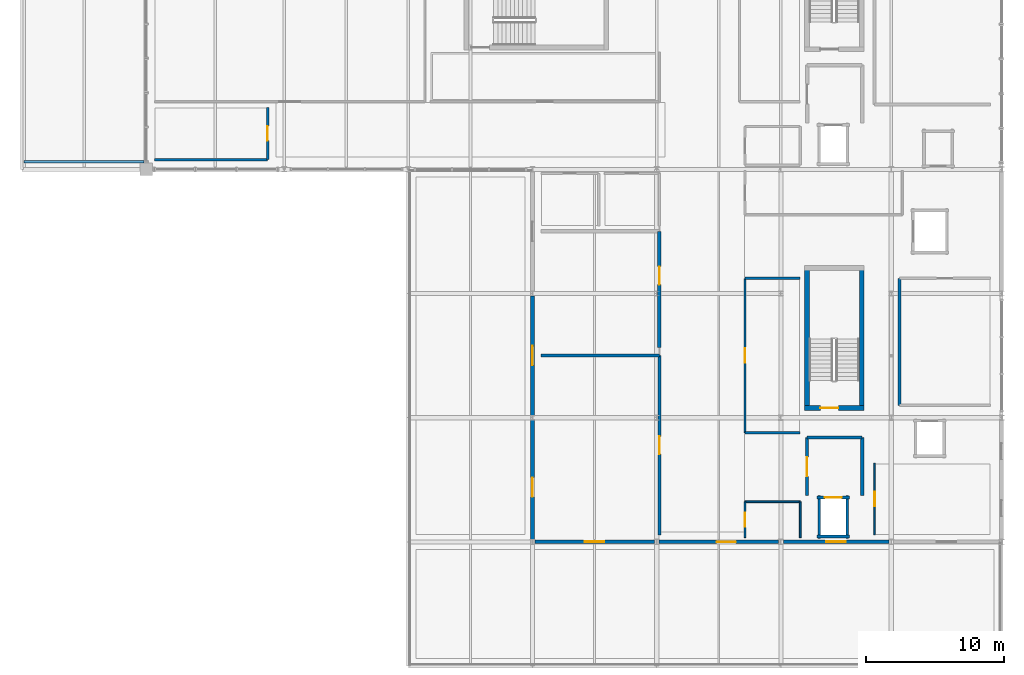
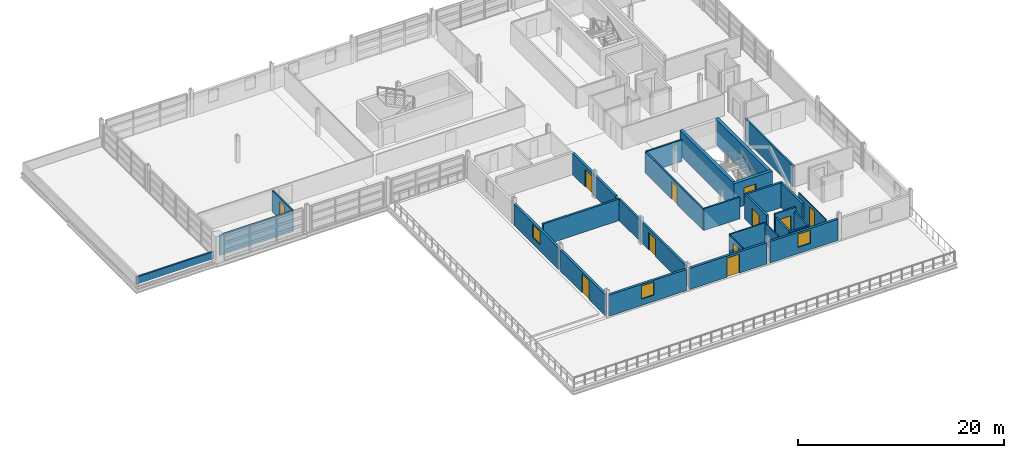
# One storey, part 22 of 30: 29 walls, 11 doors, 3 windows, 14 openings.
"""IFC4 building model written with IfcOpenShell, lengths in metres."""

from ifc_helpers import new_model, si_unit, direction, frame, frame_2d, origin, place, context, subcontext, project, spatial, rectangle, extrude, material, layer, layer_set, type_object, element, fill, save


model = new_model("IFC4")

# Units and contexts
model_context = context("Model", 3, precision=1e-05, world=origin(), true_north=direction((0.0, 1.0)))
body_context = subcontext(model_context, "Body", "Model", "MODEL_VIEW")
ifc_project = project(units=[si_unit("LENGTHUNIT", "METRE"), si_unit("AREAUNIT", "SQUARE_METRE"), si_unit("VOLUMEUNIT", "CUBIC_METRE"), si_unit("PLANEANGLEUNIT", "RADIAN"), si_unit("MASSUNIT", "GRAM", prefix="KILO")], contexts=[model_context])

# Site, building, storey
site_placement = place(None, origin())
site = spatial("IfcSite", under=ifc_project, at=site_placement, CompositionType="ELEMENT")
building_placement = place(site_placement, origin())
building = spatial("IfcBuilding", under=site, at=building_placement, Name="Chuanluo Vaults Station", CompositionType="ELEMENT")
storey_placement = place(building_placement, frame((0.0, 0.0, 17.60009765625)))
storey = spatial("IfcBuildingStorey", under=building, at=storey_placement, Name="L04", CompositionType="ELEMENT", Elevation=17.60009765625)

# Walls
ifc_material_1 = material(Name="Concrete C50", Category="concrete")
ifc_layer_1 = layer(ifc_material_1, 0.35009765625)
ifc_layer_set_1 = layer_set([ifc_layer_1], Name="Concrete C50")
wall_type_1 = type_object("IfcWallType", Name="WL-COR-350", PredefinedType="SHEAR", material=ifc_layer_set_1)
for number, where, z_axis, x_axis, name in (
    (1, (177.862548828125, 86.02490234375, 0.0), (0.0, 0.0, 1.0), (0.0, 1.0, 0.0), "Core K1 left shear wall"),
    (2, (173.892578125, 96.5224609375, 0.0), (0.0, 0.0, 1.0), (0.0, -1.0, 0.0), "Core K1 right shear wall"),
):
    element("IfcWall", number, at=place(storey_placement, frame(where, z_axis=z_axis, x_axis=x_axis)), inside=storey, type_object=wall_type_1, Name=name, PredefinedType="SHEAR", context=body_context, shape_type="SweptSolid", body=[
        extrude(rectangle(XDim=10.49755859375, YDim=0.35009765625, at=frame_2d((5.248779296875, 0.0))), origin(), (0.0, 0.0, 1.0), 2.97998046875),
    ])

# Wall, opening, door
wall_1_placement = place(storey_placement, frame((173.717529296875, 86.199951171875, 0.0), z_axis=(0.0, 0.0, 1.0), x_axis=(1.0, 0.0, 0.0)))
wall_1 = element("IfcWall", 3, at=wall_1_placement, inside=storey, type_object=wall_type_1, Name="Core K1 near shear wall", PredefinedType="SHEAR", context=body_context, shape_type="SweptSolid", body=[
    extrude(rectangle(XDim=4.320068359375, YDim=0.35009765625, at=frame_2d((2.16015625, 0.0))), origin(), (0.0, 0.0, 1.0), 2.97998046875),
])
opening_1_placement = place(wall_1_placement, frame((1.14990234375, 0.0, 0.0)))
opening_1 = element("IfcOpeningElement", 4, at=opening_1_placement, cuts=wall_1, Name="Opening FD-05", PredefinedType="OPENING", context=body_context, shape_type="SweptSolid", body=[
    extrude(rectangle(XDim=1.300048828125, YDim=2.10009765625, at=frame_2d((0.64990234375, 1.050048828125))), frame((0.0, 0.18505, 0.0), z_axis=(0.0, -1.0, 0.0), x_axis=(1.0, 0.0, 0.0)), (0.0, 0.0, 1.0), 0.3701),
])
ifc_material_2 = material(Name="Fire-rated steel leaf", Category="steel")
door_type_1 = type_object("IfcDoorType", Name="DR-FIR-1300x2100", OperationType="NOTDEFINED", PredefinedType="DOOR", material=ifc_material_2)
door_1_placement = place(opening_1_placement, origin())
door_1 = element("IfcDoor", 5, at=door_1_placement, inside=storey, type_object=door_type_1, Name="D-063 Stair ST-01 fire door", OperationType="SINGLE_SWING_RIGHT", OverallHeight=2.10009765625, OverallWidth=1.300048828125, PredefinedType="DOOR", context=body_context, shape_type="SweptSolid", body=[
    extrude(rectangle(XDim=1.300048828125, YDim=2.10009765625, at=frame_2d((0.64990234375, 1.050048828125))), frame((0.0, 0.02490234375, 0.0), z_axis=(0.0, -1.0, 0.0), x_axis=(1.0, 0.0, 0.0)), (0.0, 0.0, 1.0), 0.050048828125),
])
fill(opening_1, door_1)

# Wall, opening, window
ifc_material_3 = material(Name="Concrete C40", Category="concrete")
ifc_layer_2 = layer(ifc_material_3, 0.260009765625)
ifc_layer_set_2 = layer_set([ifc_layer_2], Name="Concrete C40")
wall_type_2 = type_object("IfcWallType", Name="WL-EXT-260", PredefinedType="SOLIDWALL", material=ifc_layer_set_2)
wall_2_placement = place(storey_placement, frame((179.824951171875, 76.5, 0.0), z_axis=(0.0, 0.0, 1.0), x_axis=(-1.0, 0.0, 0.0)))
wall_2 = element("IfcWall", 6, at=wall_2_placement, inside=storey, type_object=wall_type_2, Name="L04 south terrace wall 1B", PredefinedType="SOLIDWALL", context=body_context, shape_type="SweptSolid", body=[
    extrude(rectangle(XDim=7.64990234375, YDim=0.260009765625, at=frame_2d((3.824951171875, 0.0))), origin(), (0.0, 0.0, 1.0), 2.514892578125),
])
opening_2_placement = place(wall_2_placement, frame((3.125, 0.0, 0.75)))
opening_2 = element("IfcOpeningElement", 7, at=opening_2_placement, cuts=wall_2, Name="Opening W-41", PredefinedType="OPENING", context=body_context, shape_type="SweptSolid", body=[
    extrude(rectangle(XDim=1.39990234375, YDim=1.550048828125, at=frame_2d((0.699951171875, 0.77490234375))), frame((0.0, 0.13988, 0.0), z_axis=(0.0, -1.0, 0.0), x_axis=(1.0, 0.0, 0.0)), (0.0, 0.0, 1.0), 0.28001),
])
ifc_material_4 = material(Name="Double-silver Low-E laminated glass", Category="glass")
window_type = type_object("IfcWindowType", Name="WN-OPS-1400x1550", PartitioningType="SINGLE_PANEL", PredefinedType="WINDOW", material=ifc_material_4)
window_1_placement = place(opening_2_placement, origin())
window_1 = element("IfcWindow", 8, at=window_1_placement, inside=storey, type_object=window_type, Name="W-123 L04 south terrace wall 1B window", OverallHeight=1.550048828125, OverallWidth=1.39990234375, PartitioningType="SINGLE_PANEL", PredefinedType="WINDOW", context=body_context, shape_type="SweptSolid", body=[
    extrude(rectangle(XDim=1.39990234375, YDim=1.550048828125, at=frame_2d((0.699951171875, 0.77490234375))), frame((0.0, 0.030029296875, 0.0), z_axis=(0.0, -1.0, 0.0), x_axis=(1.0, 0.0, 0.0)), (0.0, 0.0, 1.0), 0.06005859375),
])
fill(opening_2, window_1)

# Wall, opening, door
wall_3_placement = place(storey_placement, frame((171.824951171875, 76.5, 0.0), z_axis=(0.0, 0.0, 1.0), x_axis=(-1.0, 0.0, 0.0)))
wall_3 = element("IfcWall", 9, at=wall_3_placement, inside=storey, type_object=wall_type_2, Name="L04 south terrace wall 2A", PredefinedType="SOLIDWALL", context=body_context, shape_type="SweptSolid", body=[
    extrude(rectangle(XDim=8.64990234375, YDim=0.260009765625, at=frame_2d((4.324951171875, 0.0))), origin(), (0.0, 0.0, 1.0), 2.5048828125),
])
opening_3_placement = place(wall_3_placement, frame((3.077880859375, 0.0, 0.0)))
opening_3 = element("IfcOpeningElement", 10, at=opening_3_placement, cuts=wall_3, Name="Opening D-T02", PredefinedType="OPENING", context=body_context, shape_type="SweptSolid", body=[
    extrude(rectangle(XDim=1.39990234375, YDim=2.25, at=frame_2d((0.699951171875, 1.125))), frame((0.0, 0.13988, 0.0), z_axis=(0.0, -1.0, 0.0), x_axis=(1.0, 0.0, 0.0)), (0.0, 0.0, 1.0), 0.28001),
])
ifc_material_5 = material(Name="Anodised aluminium 6063-T6", Category="aluminium")
door_type_2 = type_object("IfcDoorType", Name="DR-TER-1400x2250", OperationType="NOTDEFINED", PredefinedType="DOOR", material=ifc_material_5)
door_2_placement = place(opening_3_placement, origin())
door_2 = element("IfcDoor", 11, at=door_2_placement, inside=storey, type_object=door_type_2, Name="D-055 L04 south terrace wall 2A terrace door", OperationType="SINGLE_SWING_RIGHT", OverallHeight=2.25, OverallWidth=1.39990234375, PredefinedType="DOOR", context=body_context, shape_type="SweptSolid", body=[
    extrude(rectangle(XDim=1.39990234375, YDim=2.25, at=frame_2d((0.699951171875, 1.125))), frame((0.0, 0.02490234375, 0.0), z_axis=(0.0, -1.0, 0.0), x_axis=(1.0, 0.0, 0.0)), (0.0, 0.0, 1.0), 0.050048828125),
])
fill(opening_3, door_2)

# Wall, opening, window
wall_4_placement = place(storey_placement, frame((162.824951171875, 76.5, 0.0), z_axis=(0.0, 0.0, 1.0), x_axis=(-1.0, 0.0, 0.0)))
wall_4 = element("IfcWall", 12, at=wall_4_placement, inside=storey, type_object=wall_type_2, Name="L04 south terrace wall 2B", PredefinedType="SOLIDWALL", context=body_context, shape_type="SweptSolid", body=[
    extrude(rectangle(XDim=8.64990234375, YDim=0.260009765625, at=frame_2d((4.324951171875, 0.0))), origin(), (0.0, 0.0, 1.0), 2.5048828125),
])
opening_4_placement = place(wall_4_placement, frame((3.625, 0.0, 0.75)))
opening_4 = element("IfcOpeningElement", 13, at=opening_4_placement, cuts=wall_4, Name="Opening W-41", PredefinedType="OPENING", context=body_context, shape_type="SweptSolid", body=[
    extrude(rectangle(XDim=1.39990234375, YDim=1.550048828125, at=frame_2d((0.699951171875, 0.77490234375))), frame((0.0, 0.13988, 0.0), z_axis=(0.0, -1.0, 0.0), x_axis=(1.0, 0.0, 0.0)), (0.0, 0.0, 1.0), 0.28001),
])
window_2_placement = place(opening_4_placement, origin())
window_2 = element("IfcWindow", 14, at=window_2_placement, inside=storey, type_object=window_type, Name="W-124 L04 south terrace wall 2B window", OverallHeight=1.550048828125, OverallWidth=1.39990234375, PartitioningType="SINGLE_PANEL", PredefinedType="WINDOW", context=body_context, shape_type="SweptSolid", body=[
    extrude(rectangle(XDim=1.39990234375, YDim=1.550048828125, at=frame_2d((0.699951171875, 0.77490234375))), frame((0.0, 0.030029296875, 0.0), z_axis=(0.0, -1.0, 0.0), x_axis=(1.0, 0.0, 0.0)), (0.0, 0.0, 1.0), 0.06005859375),
])
fill(opening_4, window_2)

# Wall, opening, door
wall_5_placement = place(storey_placement, frame((154.0, 76.675048828125, 0.0), z_axis=(0.0, 0.0, 1.0), x_axis=(0.0, 1.0, 0.0)))
wall_5 = element("IfcWall", 15, at=wall_5_placement, inside=storey, type_object=wall_type_2, Name="L04 west terrace wall 1", PredefinedType="SOLIDWALL", context=body_context, shape_type="SweptSolid", body=[
    extrude(rectangle(XDim=8.64990234375, YDim=0.260009765625, at=frame_2d((4.324951171875, 0.0))), origin(), (0.0, 0.0, 1.0), 2.5048828125),
])
opening_5_placement = place(wall_5_placement, frame((3.077880859375, 0.0, 0.0)))
opening_5 = element("IfcOpeningElement", 16, at=opening_5_placement, cuts=wall_5, Name="Opening D-T02", PredefinedType="OPENING", context=body_context, shape_type="SweptSolid", body=[
    extrude(rectangle(XDim=1.39990234375, YDim=2.25, at=frame_2d((0.699951171875, 1.125))), frame((0.0, 0.13988, 0.0), z_axis=(0.0, -1.0, 0.0), x_axis=(1.0, 0.0, 0.0)), (0.0, 0.0, 1.0), 0.28001),
])
door_3_placement = place(opening_5_placement, origin())
door_3 = element("IfcDoor", 17, at=door_3_placement, inside=storey, type_object=door_type_2, Name="D-056 L04 west terrace wall 1 terrace door", OperationType="SINGLE_SWING_LEFT", OverallHeight=2.25, OverallWidth=1.39990234375, PredefinedType="DOOR", context=body_context, shape_type="SweptSolid", body=[
    extrude(rectangle(XDim=1.39990234375, YDim=2.25, at=frame_2d((0.699951171875, 1.125))), frame((0.0, 0.02490234375, 0.0), z_axis=(0.0, -1.0, 0.0), x_axis=(1.0, 0.0, 0.0)), (0.0, 0.0, 1.0), 0.050048828125),
])
fill(opening_5, door_3)

# Wall, opening, window
wall_6_placement = place(storey_placement, frame((154.0, 85.675048828125, 0.0), z_axis=(0.0, 0.0, 1.0), x_axis=(0.0, 1.0, 0.0)))
wall_6 = element("IfcWall", 18, at=wall_6_placement, inside=storey, type_object=wall_type_2, Name="L04 west terrace wall 2A", PredefinedType="SOLIDWALL", context=body_context, shape_type="SweptSolid", body=[
    extrude(rectangle(XDim=8.64990234375, YDim=0.260009765625, at=frame_2d((4.324951171875, 0.0))), origin(), (0.0, 0.0, 1.0), 2.5048828125),
])
opening_6_placement = place(wall_6_placement, frame((3.625, 0.0, 0.75)))
opening_6 = element("IfcOpeningElement", 19, at=opening_6_placement, cuts=wall_6, Name="Opening W-41", PredefinedType="OPENING", context=body_context, shape_type="SweptSolid", body=[
    extrude(rectangle(XDim=1.39990234375, YDim=1.550048828125, at=frame_2d((0.699951171875, 0.77490234375))), frame((0.0, 0.13988, 0.0), z_axis=(0.0, -1.0, 0.0), x_axis=(1.0, 0.0, 0.0)), (0.0, 0.0, 1.0), 0.28001),
])
window_3_placement = place(opening_6_placement, origin())
window_3 = element("IfcWindow", 20, at=window_3_placement, inside=storey, type_object=window_type, Name="W-125 L04 west terrace wall 2A window", OverallHeight=1.550048828125, OverallWidth=1.39990234375, PartitioningType="SINGLE_PANEL", PredefinedType="WINDOW", context=body_context, shape_type="SweptSolid", body=[
    extrude(rectangle(XDim=1.39990234375, YDim=1.550048828125, at=frame_2d((0.699951171875, 0.77490234375))), frame((0.0, 0.030029296875, 0.0), z_axis=(0.0, -1.0, 0.0), x_axis=(1.0, 0.0, 0.0)), (0.0, 0.0, 1.0), 0.06005859375),
])
fill(opening_6, window_3)

# Wall
ifc_material_6 = material(Name="Concrete C40", Category="concrete")
ifc_layer_3 = layer(ifc_material_6, 0.219970703125)
ifc_layer_set_3 = layer_set([ifc_layer_3], Name="Concrete C40")
wall_type_3 = type_object("IfcWallType", Name="WL-FIR-220", PredefinedType="SOLIDWALL", material=ifc_layer_set_3)
wall_7_placement = place(storey_placement, frame((154.60009765625, 90.0, 0.0), z_axis=(0.0, 0.0, 1.0), x_axis=(1.0, 0.0, 0.0)))
element("IfcWall", 21, at=wall_7_placement, inside=storey, type_object=wall_type_3, Name="L04-02 Traction Power SCADA Room N partition", PredefinedType="SOLIDWALL", context=body_context, shape_type="SweptSolid", body=[
    extrude(rectangle(XDim=8.599853515625, YDim=0.219970703125, at=frame_2d((4.2998046875, 0.0))), origin(), (0.0, 0.0, 1.0), 2.554931640625),
])

# Wall, opening, door
wall_8_placement = place(storey_placement, frame((163.199951171875, 90.0, 0.0), z_axis=(0.0, 0.0, 1.0), x_axis=(0.0, -1.0, 0.0)))
wall_8 = element("IfcWall", 22, at=wall_8_placement, inside=storey, type_object=wall_type_3, Name="L04-02 Traction Power SCADA Room E partition", PredefinedType="SOLIDWALL", context=body_context, shape_type="SweptSolid", body=[
    extrude(rectangle(XDim=13.0, YDim=0.219970703125, at=frame_2d((6.5, 0.0))), origin(), (0.0, 0.0, 1.0), 2.5048828125),
])
opening_7_placement = place(wall_8_placement, frame((5.85009765625, 0.0, 0.0)))
opening_7 = element("IfcOpeningElement", 23, at=opening_7_placement, cuts=wall_8, Name="Opening FD-05", PredefinedType="OPENING", context=body_context, shape_type="SweptSolid", body=[
    extrude(rectangle(XDim=1.300048828125, YDim=2.10009765625, at=frame_2d((0.64990234375, 1.050048828125))), frame((0.0, 0.11986, 0.0), z_axis=(0.0, -1.0, 0.0), x_axis=(1.0, 0.0, 0.0)), (0.0, 0.0, 1.0), 0.23997),
])
door_4_placement = place(opening_7_placement, origin())
door_4 = element("IfcDoor", 24, at=door_4_placement, inside=storey, type_object=door_type_1, Name="D-238 Traction Power SCADA Room door", OperationType="SINGLE_SWING_LEFT", OverallHeight=2.10009765625, OverallWidth=1.300048828125, PredefinedType="DOOR", context=body_context, shape_type="SweptSolid", body=[
    extrude(rectangle(XDim=1.300048828125, YDim=2.10009765625, at=frame_2d((0.64990234375, 1.050048828125))), frame((0.0, 0.02490234375, 0.0), z_axis=(0.0, -1.0, 0.0), x_axis=(1.0, 0.0, 0.0)), (0.0, 0.0, 1.0), 0.050048828125),
])
fill(opening_7, door_4)

# Wall
wall_9_placement = place(storey_placement, frame((173.89990234375, 84.050048828125, 0.0), z_axis=(0.0, 0.0, 1.0), x_axis=(1.0, 0.0, 0.0)))
element("IfcWall", 25, at=wall_9_placement, inside=storey, type_object=wall_type_3, Name="L04-FFL-K1 Firefighting Lift Lobby FFL-01 L04 N partition", PredefinedType="SOLIDWALL", context=body_context, shape_type="SweptSolid", body=[
    extrude(rectangle(XDim=4.0, YDim=0.219970703125, at=frame_2d((2.0, 0.0))), origin(), (0.0, 0.0, 1.0), 2.954833984375),
])

# Wall, opening, door
wall_10_placement = place(storey_placement, frame((173.89990234375, 79.85009765625, 0.0), z_axis=(0.0, 0.0, 1.0), x_axis=(0.0, 1.0, 0.0)))
wall_10 = element("IfcWall", 26, at=wall_10_placement, inside=storey, type_object=wall_type_3, Name="L04-FFL-K1 Firefighting Lift Lobby FFL-01 L04 W partition", PredefinedType="SOLIDWALL", context=body_context, shape_type="SweptSolid", body=[
    extrude(rectangle(XDim=4.199951171875, YDim=0.219970703125, at=frame_2d((2.10009765625, 0.0))), origin(), (0.0, 0.0, 1.0), 2.954833984375),
])
opening_8_placement = place(wall_10_placement, frame((1.39990234375, 0.0, 0.0)))
opening_8 = element("IfcOpeningElement", 27, at=opening_8_placement, cuts=wall_10, Name="Opening FD-04", PredefinedType="OPENING", context=body_context, shape_type="SweptSolid", body=[
    extrude(rectangle(XDim=1.39990234375, YDim=2.10009765625, at=frame_2d((0.699951171875, 1.050048828125))), frame((0.0, 0.11986, 0.0), z_axis=(0.0, -1.0, 0.0), x_axis=(1.0, 0.0, 0.0)), (0.0, 0.0, 1.0), 0.23997),
])
ifc_material_7 = material(Name="Fire-rated steel leaf", Category="steel")
door_type_3 = type_object("IfcDoorType", Name="DR-FIR-1400x2100", OperationType="NOTDEFINED", PredefinedType="DOOR", material=ifc_material_7)
door_5_placement = place(opening_8_placement, origin())
door_5 = element("IfcDoor", 28, at=door_5_placement, inside=storey, type_object=door_type_3, Name="D-272 Firefighting Lift Lobby FFL-01 L04 door", OperationType="SINGLE_SWING_LEFT", OverallHeight=2.10009765625, OverallWidth=1.39990234375, PredefinedType="DOOR", context=body_context, shape_type="SweptSolid", body=[
    extrude(rectangle(XDim=1.39990234375, YDim=2.10009765625, at=frame_2d((0.699951171875, 1.050048828125))), frame((0.0, 0.02490234375, 0.0), z_axis=(0.0, -1.0, 0.0), x_axis=(1.0, 0.0, 0.0)), (0.0, 0.0, 1.0), 0.050048828125),
])
fill(opening_8, door_5)

# Wall
wall_11_placement = place(storey_placement, frame((177.89990234375, 84.050048828125, 0.0), z_axis=(0.0, 0.0, 1.0), x_axis=(0.0, -1.0, 0.0)))
element("IfcWall", 29, at=wall_11_placement, inside=storey, type_object=wall_type_3, Name="L04-FFL-K1 Firefighting Lift Lobby FFL-01 L04 E partition", PredefinedType="SOLIDWALL", context=body_context, shape_type="SweptSolid", body=[
    extrude(rectangle(XDim=4.199951171875, YDim=0.219970703125, at=frame_2d((2.10009765625, 0.0))), origin(), (0.0, 0.0, 1.0), 2.954833984375),
])

# Wall, opening, door
ifc_material_8 = material(Name="Concrete C40", Category="concrete")
ifc_layer_4 = layer(ifc_material_8, 0.25)
ifc_layer_set_4 = layer_set([ifc_layer_4], Name="Concrete C40")
wall_type_4 = type_object("IfcWallType", Name="WL-FIR-250", PredefinedType="SOLIDWALL", material=ifc_layer_set_4)
wall_12_placement = place(storey_placement, frame((163.199951171875, 99.0, 0.0), z_axis=(0.0, 0.0, 1.0), x_axis=(0.0, -1.0, 0.0)))
wall_12 = element("IfcWall", 30, at=wall_12_placement, inside=storey, type_object=wall_type_4, Name="L04-03 Telecom and Signalling Server Suite E partition", PredefinedType="SOLIDWALL", context=body_context, shape_type="SweptSolid", body=[
    extrude(rectangle(XDim=8.39990234375, YDim=0.25, at=frame_2d((4.199951171875, 0.0))), origin(), (0.0, 0.0, 1.0), 2.5048828125),
])
opening_9_placement = place(wall_12_placement, frame((2.550048828125, 0.0, 0.0)))
opening_9 = element("IfcOpeningElement", 31, at=opening_9_placement, cuts=wall_12, Name="Opening FD-05", PredefinedType="OPENING", context=body_context, shape_type="SweptSolid", body=[
    extrude(rectangle(XDim=1.300048828125, YDim=2.10009765625, at=frame_2d((0.64990234375, 1.050048828125))), frame((0.0, 0.135, 0.0), z_axis=(0.0, -1.0, 0.0), x_axis=(1.0, 0.0, 0.0)), (0.0, 0.0, 1.0), 0.27),
])
door_6_placement = place(opening_9_placement, origin())
door_6 = element("IfcDoor", 32, at=door_6_placement, inside=storey, type_object=door_type_1, Name="D-239 Telecom and Signalling Server Suite door", OperationType="SINGLE_SWING_RIGHT", OverallHeight=2.10009765625, OverallWidth=1.300048828125, PredefinedType="DOOR", context=body_context, shape_type="SweptSolid", body=[
    extrude(rectangle(XDim=1.300048828125, YDim=2.10009765625, at=frame_2d((0.64990234375, 1.050048828125))), frame((0.0, 0.02490234375, 0.0), z_axis=(0.0, -1.0, 0.0), x_axis=(1.0, 0.0, 0.0)), (0.0, 0.0, 1.0), 0.050048828125),
])
fill(opening_9, door_6)

# Wall
ifc_material_9 = material(Name="Concrete C40", Category="concrete")
ifc_layer_5 = layer(ifc_material_9, 0.179931640625)
ifc_layer_set_5 = layer_set([ifc_layer_5], Name="Concrete C40")
wall_type_5 = type_object("IfcWallType", Name="WL-PAR-180", PredefinedType="PARAPET", material=ifc_layer_set_5)
wall_13_placement = place(storey_placement, frame((117.14990234375, 104.050048828125, 0.0), z_axis=(0.0, 0.0, 1.0), x_axis=(1.0, 0.0, 0.0)))
element("IfcWall", 33, at=wall_13_placement, inside=storey, type_object=wall_type_5, Name="L04 roof parapet wall 13", PredefinedType="PARAPET", context=body_context, shape_type="SweptSolid", body=[
    extrude(rectangle(XDim=8.7001953125, YDim=0.179931640625, at=frame_2d((4.35009765625, 0.0))), origin(), (0.0, 0.0, 1.0), 0.849853515625),
])

# Wall, opening, door
ifc_material_10 = material(Name="Masonry blockwork M10", Category="masonry")
ifc_layer_6 = layer(ifc_material_10, 0.10009765625)
ifc_layer_set_6 = layer_set([ifc_layer_6], Name="Masonry blockwork M10")
wall_type_6 = type_object("IfcWallType", Name="WL-PRT-100", PredefinedType="PARTITIONING", material=ifc_layer_set_6)
wall_14_placement = place(storey_placement, frame((178.800048828125, 77.0, 0.0), z_axis=(0.0, 0.0, 1.0), x_axis=(0.0, 1.0, 0.0)))
wall_14 = element("IfcWall", 34, at=wall_14_placement, inside=storey, type_object=wall_type_6, Name="L04-14 East Network Monitoring Room W partition", PredefinedType="PARTITIONING", context=body_context, shape_type="SweptSolid", body=[
    extrude(rectangle(XDim=5.199951171875, YDim=0.10009765625, at=frame_2d((2.60009765625, 0.0))), origin(), (0.0, 0.0, 1.0), 2.514892578125),
])
opening_10_placement = place(wall_14_placement, frame((2.074951171875, 0.0, 0.0)))
opening_10 = element("IfcOpeningElement", 35, at=opening_10_placement, cuts=wall_14, Name="Opening D-I07", PredefinedType="OPENING", context=body_context, shape_type="SweptSolid", body=[
    extrude(rectangle(XDim=1.050048828125, YDim=2.10009765625, at=frame_2d((0.52490234375, 1.050048828125))), frame((0.0, 0.06005, 0.0), z_axis=(0.0, -1.0, 0.0), x_axis=(1.0, 0.0, 0.0)), (0.0, 0.0, 1.0), 0.1201),
])
ifc_material_11 = material(Name="Anodised aluminium 6063-T6", Category="aluminium")
door_type_4 = type_object("IfcDoorType", Name="DR-INT-1050x2100", OperationType="NOTDEFINED", PredefinedType="DOOR", material=ifc_material_11)
door_7_placement = place(opening_10_placement, origin())
door_7 = element("IfcDoor", 36, at=door_7_placement, inside=storey, type_object=door_type_4, Name="D-250 East Network Monitoring Room door", OperationType="SINGLE_SWING_LEFT", OverallHeight=2.10009765625, OverallWidth=1.050048828125, PredefinedType="DOOR", context=body_context, shape_type="SweptSolid", body=[
    extrude(rectangle(XDim=1.050048828125, YDim=2.10009765625, at=frame_2d((0.52490234375, 1.050048828125))), frame((0.0, 0.02490234375, 0.0), z_axis=(0.0, -1.0, 0.0), x_axis=(1.0, 0.0, 0.0)), (0.0, 0.0, 1.0), 0.050048828125),
])
fill(opening_10, door_7)

# Wall
ifc_material_12 = material(Name="Masonry blockwork M10", Category="masonry")
ifc_layer_7 = layer(ifc_material_12, 0.1298828125)
ifc_layer_set_7 = layer_set([ifc_layer_7], Name="Masonry blockwork M10")
wall_type_7 = type_object("IfcWallType", Name="WL-PRT-130", PredefinedType="PARTITIONING", material=ifc_layer_set_7)
wall_15_placement = place(storey_placement, frame((169.39990234375, 79.39990234375, 0.0), z_axis=(0.0, 0.0, 1.0), x_axis=(1.0, 0.0, 0.0)))
element("IfcWall", 37, at=wall_15_placement, inside=storey, type_object=wall_type_7, Name="L04-12 Level 4 Accessible WC N partition", PredefinedType="PARTITIONING", context=body_context, shape_type="SweptSolid", body=[
    extrude(rectangle(XDim=4.0, YDim=0.1298828125, at=frame_2d((2.0, 0.0))), origin(), (0.0, 0.0, 1.0), 2.56494140625),
])

# Wall, opening, door
wall_16_placement = place(storey_placement, frame((169.39990234375, 76.800048828125, 0.0), z_axis=(0.0, 0.0, 1.0), x_axis=(0.0, 1.0, 0.0)))
wall_16 = element("IfcWall", 38, at=wall_16_placement, inside=storey, type_object=wall_type_7, Name="L04-12 Level 4 Accessible WC W partition", PredefinedType="PARTITIONING", context=body_context, shape_type="SweptSolid", body=[
    extrude(rectangle(XDim=2.599853515625, YDim=0.1298828125, at=frame_2d((1.2998046875, 0.0))), origin(), (0.0, 0.0, 1.0), 2.514892578125),
])
opening_11_placement = place(wall_16_placement, frame((0.7900390625, 0.0, 0.0)))
opening_11 = element("IfcOpeningElement", 39, at=opening_11_placement, cuts=wall_16, Name="Opening D-WC2", PredefinedType="OPENING", context=body_context, shape_type="SweptSolid", body=[
    extrude(rectangle(XDim=1.02001953125, YDim=2.050048828125, at=frame_2d((0.510009765625, 1.02490234375))), frame((0.0, 0.07494, 0.0), z_axis=(0.0, -1.0, 0.0), x_axis=(1.0, 0.0, 0.0)), (0.0, 0.0, 1.0), 0.14988),
])
ifc_material_13 = material(Name="Anodised aluminium 6063-T6", Category="aluminium")
door_type_5 = type_object("IfcDoorType", Name="DR-AWC-1020x2050", OperationType="NOTDEFINED", PredefinedType="DOOR", material=ifc_material_13)
door_8_placement = place(opening_11_placement, origin())
door_8 = element("IfcDoor", 40, at=door_8_placement, inside=storey, type_object=door_type_5, Name="D-248 Level 4 Accessible WC door", OperationType="SINGLE_SWING_LEFT", OverallHeight=2.050048828125, OverallWidth=1.02001953125, PredefinedType="DOOR", context=body_context, shape_type="SweptSolid", body=[
    extrude(rectangle(XDim=1.02001953125, YDim=2.050048828125, at=frame_2d((0.510009765625, 1.02490234375))), frame((0.0, 0.02490234375, 0.0), z_axis=(0.0, -1.0, 0.0), x_axis=(1.0, 0.0, 0.0)), (0.0, 0.0, 1.0), 0.050048828125),
])
fill(opening_11, door_8)

# Walls
wall_17_placement = place(storey_placement, frame((173.39990234375, 79.39990234375, 0.0), z_axis=(0.0, 0.0, 1.0), x_axis=(0.0, -1.0, 0.0)))
element("IfcWall", 41, at=wall_17_placement, inside=storey, type_object=wall_type_7, Name="L04-12 Level 4 Accessible WC E partition", PredefinedType="PARTITIONING", context=body_context, shape_type="SweptSolid", body=[
    extrude(rectangle(XDim=2.599853515625, YDim=0.1298828125, at=frame_2d((1.2998046875, 0.0))), origin(), (0.0, 0.0, 1.0), 2.514892578125),
])
ifc_material_14 = material(Name="Autoclaved aerated concrete blockwork MU10", Category="masonry")
ifc_layer_8 = layer(ifc_material_14, 0.175048828125)
ifc_layer_set_8 = layer_set([ifc_layer_8], Name="Autoclaved aerated concrete blockwork MU10")
wall_type_8 = type_object("IfcWallType", Name="WL-PRT-175", PredefinedType="PARTITIONING", material=ifc_layer_set_8)
for number, where, z_axis, x_axis, name in (
    (42, (173.39990234375, 84.39990234375, 0.0), (0.0, 0.0, 1.0), (-1.0, 0.0, 0.0), "L04-09B Central Dispatch Telemetry Studio S partition"),
    (43, (169.39990234375, 95.60009765625, 0.0), (0.0, 0.0, 1.0), (1.0, 0.0, 0.0), "L04-09B Central Dispatch Telemetry Studio N partition"),
):
    element("IfcWall", number, at=place(storey_placement, frame(where, z_axis=z_axis, x_axis=x_axis)), inside=storey, type_object=wall_type_8, Name=name, PredefinedType="PARTITIONING", context=body_context, shape_type="SweptSolid", body=[
        extrude(rectangle(XDim=4.0, YDim=0.175048828125, at=frame_2d((2.0, 0.0))), origin(), (0.0, 0.0, 1.0), 2.56494140625),
    ])

# Wall, opening, door
wall_18_placement = place(storey_placement, frame((169.39990234375, 84.39990234375, 0.0), z_axis=(0.0, 0.0, 1.0), x_axis=(0.0, 1.0, 0.0)))
wall_18 = element("IfcWall", 44, at=wall_18_placement, inside=storey, type_object=wall_type_8, Name="L04-09B Central Dispatch Telemetry Studio W partition", PredefinedType="PARTITIONING", context=body_context, shape_type="SweptSolid", body=[
    extrude(rectangle(XDim=11.2001953125, YDim=0.175048828125, at=frame_2d((5.60009765625, 0.0))), origin(), (0.0, 0.0, 1.0), 2.514892578125),
])
opening_12_placement = place(wall_18_placement, frame((5.074951171875, 0.0, 0.0)))
opening_12 = element("IfcOpeningElement", 45, at=opening_12_placement, cuts=wall_18, Name="Opening D-I07", PredefinedType="OPENING", context=body_context, shape_type="SweptSolid", body=[
    extrude(rectangle(XDim=1.050048828125, YDim=2.10009765625, at=frame_2d((0.52490234375, 1.050048828125))), frame((0.0, 0.0974, 0.0), z_axis=(0.0, -1.0, 0.0), x_axis=(1.0, 0.0, 0.0)), (0.0, 0.0, 1.0), 0.19505),
])
door_9_placement = place(opening_12_placement, origin())
door_9 = element("IfcDoor", 46, at=door_9_placement, inside=storey, type_object=door_type_4, Name="D-244 Central Dispatch Telemetry Studio door", OperationType="SINGLE_SWING_LEFT", OverallHeight=2.10009765625, OverallWidth=1.050048828125, PredefinedType="DOOR", context=body_context, shape_type="SweptSolid", body=[
    extrude(rectangle(XDim=1.050048828125, YDim=2.10009765625, at=frame_2d((0.52490234375, 1.050048828125))), frame((0.0, 0.02490234375, 0.0), z_axis=(0.0, -1.0, 0.0), x_axis=(1.0, 0.0, 0.0)), (0.0, 0.0, 1.0), 0.050048828125),
])
fill(opening_12, door_9)

# Walls
ifc_material_15 = material(Name="Autoclaved aerated concrete blockwork MU10", Category="masonry")
ifc_layer_9 = layer(ifc_material_15, 0.18994140625)
ifc_layer_set_9 = layer_set([ifc_layer_9], Name="Autoclaved aerated concrete blockwork MU10")
wall_type_9 = type_object("IfcWallType", Name="WL-PRT-190", PredefinedType="PARTITIONING", material=ifc_layer_set_9)
wall_19_placement = place(storey_placement, frame((180.60009765625, 86.39990234375, 0.0), z_axis=(0.0, 0.0, 1.0), x_axis=(0.0, 1.0, 0.0)))
element("IfcWall", 47, at=wall_19_placement, inside=storey, type_object=wall_type_9, Name="L04-09 Duty Controller Rest Suite W partition", PredefinedType="PARTITIONING", context=body_context, shape_type="SweptSolid", body=[
    extrude(rectangle(XDim=9.2001953125, YDim=0.18994140625, at=frame_2d((4.60009765625, 0.0))), origin(), (0.0, 0.0, 1.0), 2.514892578125),
])
wall_20_placement = place(storey_placement, frame((134.800048828125, 104.199951171875, 0.0), z_axis=(0.0, 0.0, 1.0), x_axis=(-1.0, 0.0, 0.0)))
element("IfcWall", 48, at=wall_20_placement, inside=storey, type_object=wall_type_9, Name="L04-15 West SCADA Patch Room S partition", PredefinedType="PARTITIONING", context=body_context, shape_type="SweptSolid", body=[
    extrude(rectangle(XDim=8.199951171875, YDim=0.18994140625, at=frame_2d((4.10009765625, 0.0))), origin(), (0.0, 0.0, 1.0), 2.409912109375),
])

# Wall, opening, door
wall_21_placement = place(storey_placement, frame((134.800048828125, 108.0, 0.0), z_axis=(0.0, 0.0, 1.0), x_axis=(0.0, -1.0, 0.0)))
wall_21 = element("IfcWall", 49, at=wall_21_placement, inside=storey, type_object=wall_type_9, Name="L04-15 West SCADA Patch Room E partition", PredefinedType="PARTITIONING", context=body_context, shape_type="SweptSolid", body=[
    extrude(rectangle(XDim=3.800048828125, YDim=0.18994140625, at=frame_2d((1.89990234375, 0.0))), origin(), (0.0, 0.0, 1.0), 2.510009765625),
])
opening_13_placement = place(wall_21_placement, frame((1.375, 0.0, 0.0)))
opening_13 = element("IfcOpeningElement", 50, at=opening_13_placement, cuts=wall_21, Name="Opening D-I07", PredefinedType="OPENING", context=body_context, shape_type="SweptSolid", body=[
    extrude(rectangle(XDim=1.050048828125, YDim=2.10009765625, at=frame_2d((0.52490234375, 1.050048828125))), frame((0.0, 0.10497, 0.0), z_axis=(0.0, -1.0, 0.0), x_axis=(1.0, 0.0, 0.0)), (0.0, 0.0, 1.0), 0.20994),
])
door_10_placement = place(opening_13_placement, origin())
door_10 = element("IfcDoor", 51, at=door_10_placement, inside=storey, type_object=door_type_4, Name="D-251 West SCADA Patch Room door", OperationType="SINGLE_SWING_RIGHT", OverallHeight=2.10009765625, OverallWidth=1.050048828125, PredefinedType="DOOR", context=body_context, shape_type="SweptSolid", body=[
    extrude(rectangle(XDim=1.050048828125, YDim=2.10009765625, at=frame_2d((0.52490234375, 1.050048828125))), frame((0.0, 0.02490234375, 0.0), z_axis=(0.0, -1.0, 0.0), x_axis=(1.0, 0.0, 0.0)), (0.0, 0.0, 1.0), 0.050048828125),
])
fill(opening_13, door_10)

# Wall
ifc_material_16 = material(Name="Concrete C40", Category="concrete")
ifc_layer_10 = layer(ifc_material_16, 0.199951171875)
ifc_layer_set_10 = layer_set([ifc_layer_10], Name="Concrete C40")
wall_type_10 = type_object("IfcWallType", Name="WL-SHF-200", PredefinedType="SOLIDWALL", material=ifc_layer_set_10)
wall_22_placement = place(storey_placement, frame((174.6298828125, 76.8798828125, 0.0), z_axis=(0.0, 0.0, 1.0), x_axis=(1.0, 0.0, 0.0)))
element("IfcWall", 52, at=wall_22_placement, inside=storey, type_object=wall_type_10, Name="Lift FFL-01 shaft wall L04 -Y", PredefinedType="SOLIDWALL", context=body_context, shape_type="SweptSolid", body=[
    extrude(rectangle(XDim=2.340087890625, YDim=0.199951171875, at=frame_2d((1.169921875, 0.0))), origin(), (0.0, 0.0, 1.0), 2.514892578125),
])

# Wall, opening, door
wall_23_placement = place(storey_placement, frame((176.969970703125, 79.719970703125, 0.0), z_axis=(0.0, 0.0, 1.0), x_axis=(-1.0, 0.0, 0.0)))
wall_23 = element("IfcWall", 53, at=wall_23_placement, inside=storey, type_object=wall_type_10, Name="Lift FFL-01 shaft wall L04 +Y", PredefinedType="SOLIDWALL", context=body_context, shape_type="SweptSolid", body=[
    extrude(rectangle(XDim=2.340087890625, YDim=0.199951171875, at=frame_2d((1.169921875, 0.0))), origin(), (0.0, 0.0, 1.0), 2.954833984375),
])
opening_14_placement = place(wall_23_placement, frame((0.570068359375, 0.0, 0.0)))
opening_14 = element("IfcOpeningElement", 54, at=opening_14_placement, cuts=wall_23, Name="Opening LD-02", PredefinedType="OPENING", context=body_context, shape_type="SweptSolid", body=[
    extrude(rectangle(XDim=1.199951171875, YDim=2.14990234375, at=frame_2d((0.60009765625, 1.074951171875))), frame((0.0, 0.1101, 0.0), z_axis=(0.0, -1.0, 0.0), x_axis=(1.0, 0.0, 0.0)), (0.0, 0.0, 1.0), 0.21995),
])
ifc_material_17 = material(Name="Brushed stainless steel 304", Category="steel")
door_type_6 = type_object("IfcDoorType", Name="DR-LFT-1200x2150", OperationType="SLIDING_TO_LEFT", PredefinedType="DOOR", material=ifc_material_17)
door_11_placement = place(opening_14_placement, origin())
door_11 = element("IfcDoor", 55, at=door_11_placement, inside=storey, type_object=door_type_6, Name="LD-FFL-01-06 Lift FFL-01 sliding landing door L04", OperationType="SLIDING_TO_LEFT", OverallHeight=2.14990234375, OverallWidth=1.199951171875, PredefinedType="DOOR", context=body_context, shape_type="SweptSolid", body=[
    extrude(rectangle(XDim=1.199951171875, YDim=2.14990234375, at=frame_2d((0.60009765625, 1.074951171875))), frame((0.0, 0.02490234375, 0.0), z_axis=(0.0, -1.0, 0.0), x_axis=(1.0, 0.0, 0.0)), (0.0, 0.0, 1.0), 0.050048828125),
])
fill(opening_14, door_11)

# Walls
for number, where, z_axis, x_axis, name in (
    (56, (174.780029296875, 79.8701171875, 0.0), (0.0, 0.0, 1.0), (0.0, -1.0, 0.0), "Lift FFL-01 shaft wall L04 -X"),
    (57, (176.820068359375, 76.72998046875, 0.0), (0.0, 0.0, 1.0), (0.0, 1.0, 0.0), "Lift FFL-01 shaft wall L04 +X"),
):
    element("IfcWall", number, at=place(storey_placement, frame(where, z_axis=z_axis, x_axis=x_axis)), inside=storey, type_object=wall_type_10, Name=name, PredefinedType="SOLIDWALL", context=body_context, shape_type="SweptSolid", body=[
        extrude(rectangle(XDim=3.14013671875, YDim=0.199951171875, at=frame_2d((1.570068359375, 0.0))), origin(), (0.0, 0.0, 1.0), 2.514892578125),
    ])

save(model, "model.ifc")
